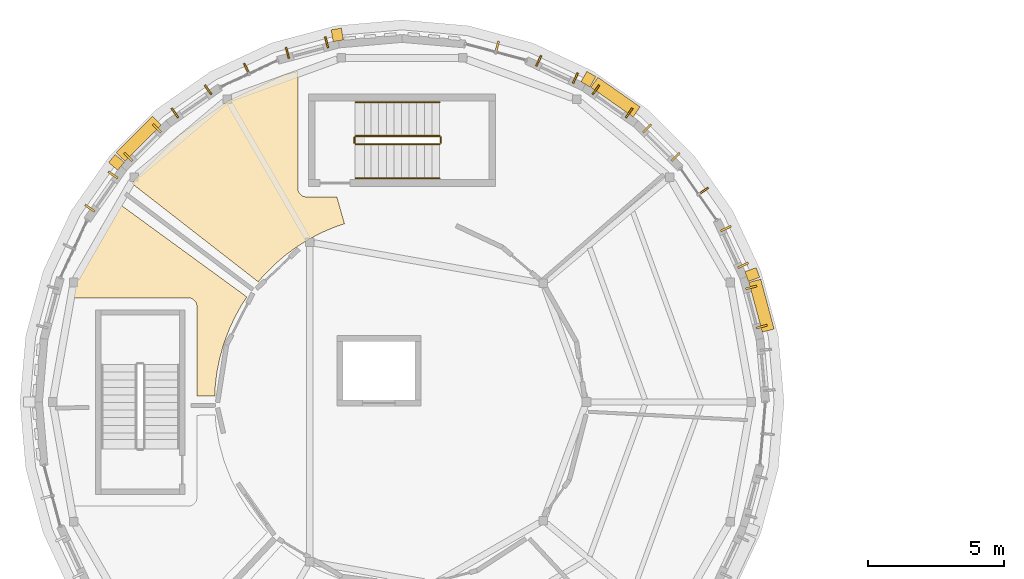
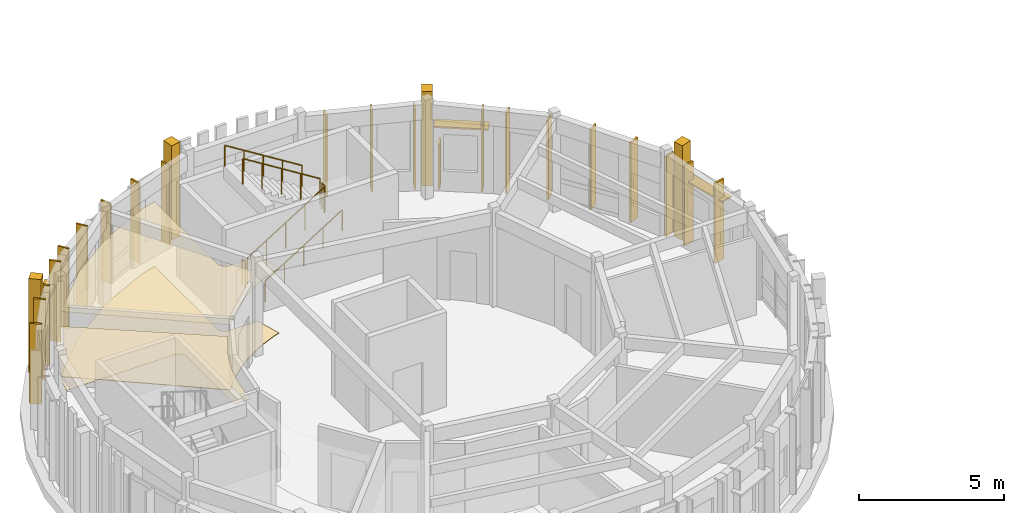
# One storey, part 33 of 37: 24 shading devices, 7 coverings, 6 railings.
"""IFC4 building model written with IfcOpenShell, lengths in metres."""

import ifcopenshell
import ifcopenshell.guid

model = None  # the IFC model being written
_history = None  # IfcOwnerHistory: only IFC2X3 demands one
_inside = {}  # id of a spatial element -> (the spatial element, [elements in it])
_under = {}  # id of a project, library or spatial element -> (it, [spatial elements below it])
_declared = {}  # id of a project -> (the project, [libraries it declares])
_typed = {}  # id of a type object -> (the type object, [elements of that type])
_made_of = {}  # id of a material, layer set ... -> (it, [elements and type objects made of it])


def new_model(schema):
    """Start an empty IFC model of exactly this schema.

    Asked for "IFC4X3", IfcOpenShell would pick the latest addendum, in which some entities
    have other attributes; the version numbers below select the first issue.
    IFC2X3 requires an IfcOwnerHistory on every rooted entity: one is made here for all.
    """
    global model, _history
    if schema == "IFC4X3":
        model = ifcopenshell.file(schema_version=(4, 3, 0, 0))
    else:
        model = ifcopenshell.file(schema=schema)
    _inside.clear()
    _under.clear()
    _declared.clear()
    _typed.clear()
    _made_of.clear()
    _history = None
    if model.schema == "IFC2X3":
        org = make("IfcOrganization", Name="unknown")
        user = make(
            "IfcPersonAndOrganization",
            ThePerson=make("IfcPerson", FamilyName="unknown"),
            TheOrganization=org,
        )
        app = make(
            "IfcApplication",
            ApplicationDeveloper=org,
            Version="unknown",
            ApplicationFullName="unknown",
            ApplicationIdentifier="unknown",
        )
        _history = make(
            "IfcOwnerHistory",
            OwningUser=user,
            OwningApplication=app,
            ChangeAction="ADDED",
            CreationDate=0,
        )
    return model


def make(cls, **values):
    """One entity of the class cls with the attributes given. An attribute that is None is left unset."""
    return model.create_entity(
        cls, **{name: value for name, value in values.items() if value is not None}
    )


def rooted(cls, **values):
    """An entity with a GlobalId (a new one), such as an element, a storey or a relation."""
    return make(cls, GlobalId=ifcopenshell.guid.new(), OwnerHistory=_history, **values)


def si_unit(unit_type, name, prefix=None):
    """IfcSIUnit, for example si_unit("LENGTHUNIT", "METRE", prefix="MILLI")."""
    return make("IfcSIUnit", UnitType=unit_type, Prefix=prefix, Name=name)


def assignment(units):
    """IfcUnitAssignment: the units of a project."""
    return None if units is None else make("IfcUnitAssignment", Units=units)


def point(xyz):
    """IfcCartesianPoint."""
    return None if xyz is None else make("IfcCartesianPoint", Coordinates=xyz)


def direction(xyz):
    """IfcDirection."""
    return None if xyz is None else make("IfcDirection", DirectionRatios=xyz)


def frame(location, z_axis=None, x_axis=None):
    """IfcAxis2Placement3D, a coordinate frame: its origin and axes. An axis left out is left unset."""
    return make(
        "IfcAxis2Placement3D",
        Location=point(location),
        Axis=direction(z_axis),
        RefDirection=direction(x_axis),
    )


def frame_2d(location, x_axis=None):
    """IfcAxis2Placement2D, a coordinate frame in the plane: its origin and x axis."""
    return make(
        "IfcAxis2Placement2D", Location=point(location), RefDirection=direction(x_axis)
    )


def origin():
    """The frame at (0, 0, 0) with its axes left unset."""
    return frame((0.0, 0.0, 0.0))


def origin_2d():
    """The frame at (0, 0) in the plane with its x axis left unset."""
    return frame_2d((0.0, 0.0))


def place(relative_to, where):
    """IfcLocalPlacement: puts the frame where relative to a parent placement (None: the world)."""
    return make(
        "IfcLocalPlacement", PlacementRelTo=relative_to, RelativePlacement=where
    )


def context(
    kind, dimensions, precision=None, world=None, true_north=None, identifier=None
):
    """IfcGeometricRepresentationContext, for example the 3D "Model" context."""
    return make(
        "IfcGeometricRepresentationContext",
        ContextIdentifier=identifier,
        ContextType=kind,
        CoordinateSpaceDimension=dimensions,
        Precision=precision,
        WorldCoordinateSystem=world,
        TrueNorth=true_north,
    )


def subcontext(parent, identifier, kind, view, scale=None):
    """IfcGeometricRepresentationSubContext, for example "Body" below "Model"."""
    return make(
        "IfcGeometricRepresentationSubContext",
        ContextIdentifier=identifier,
        ContextType=kind,
        ParentContext=parent,
        TargetScale=scale,
        TargetView=view,
    )


def project(units=None, contexts=None):
    """IfcProject with its units and contexts."""
    return rooted(
        "IfcProject",
        Name="project",
        RepresentationContexts=contexts,
        UnitsInContext=assignment(units),
    )


def spatial(cls, under=None, at=None, **own):
    """A site, building, storey or space (cls), placed at a placement, below another one or the project."""
    s = rooted(cls, ObjectPlacement=at, **own)
    if under is not None:
        _under.setdefault(under.id(), (under, []))[1].append(s)
    return s


def polyline(points):
    """IfcPolyline through the points."""
    return make("IfcPolyline", Points=[point(p) for p in points])


def profile(cls, at=None, kind="AREA", **sizes):
    """A parametric profile (cls). Its sizes go by their IFC names, for example OverallWidth=200.0."""
    return make(cls, ProfileType=kind, Position=at, **sizes)


def rectangle(**sizes):
    """IfcRectangleProfileDef."""
    return profile("IfcRectangleProfileDef", **sizes)


def circle(**sizes):
    """IfcCircleProfileDef."""
    return profile("IfcCircleProfileDef", **sizes)


def outline(outer, holes=None, kind="AREA"):
    """IfcArbitraryClosedProfileDef: a profile drawn as a closed curve; with holes, ...WithVoids."""
    if holes is None:
        return make("IfcArbitraryClosedProfileDef", ProfileType=kind, OuterCurve=outer)
    return make(
        "IfcArbitraryProfileDefWithVoids",
        ProfileType=kind,
        OuterCurve=outer,
        InnerCurves=holes,
    )


def extrude(swept, where, along, depth):
    """IfcExtrudedAreaSolid: the profile swept, set in the frame where, extruded along a direction by depth."""
    return make(
        "IfcExtrudedAreaSolid",
        SweptArea=swept,
        Position=where,
        ExtrudedDirection=direction(along),
        Depth=depth,
    )


def shape(context_of_items, identifier, shape_type, items):
    """IfcShapeRepresentation: the items that make up one representation, for example the "Body"."""
    return make(
        "IfcShapeRepresentation",
        ContextOfItems=context_of_items,
        RepresentationIdentifier=identifier,
        RepresentationType=shape_type,
        Items=items,
    )


def material(Name=None, Category=None):
    """IfcMaterial."""
    return make("IfcMaterial", Name=Name, Category=Category)


def layer(
    of_material, thickness, ventilated=None, Name=None, Category=None, Priority=None
):
    """IfcMaterialLayer: one layer of a wall or slab, of a material (None: an air gap)."""
    return make(
        "IfcMaterialLayer",
        Material=of_material,
        LayerThickness=thickness,
        IsVentilated=ventilated,
        Name=Name,
        Category=Category,
        Priority=Priority,
    )


def layer_set(layers, Name=None):
    """IfcMaterialLayerSet."""
    return make("IfcMaterialLayerSet", MaterialLayers=layers, LayerSetName=Name)


def made_of(thing, what):
    """Note that an element or type object is made of a material, layer set ...; save() writes the relation."""
    if what is not None:
        _made_of.setdefault(what.id(), (what, []))[1].append(thing)
    return thing


def type_object(cls, material=None, **own):
    """A type object (cls), such as IfcWallType, which elements share."""
    return made_of(rooted(cls, **own), material)


def element(
    cls,
    number,
    at=None,
    inside=None,
    cuts=None,
    type_object=None,
    material=None,
    context=None,
    identifier="Body",
    shape_type=None,
    held_by="IfcProductDefinitionShape",
    body=None,
    shapes=None,
    **own,
):
    """One element of the class cls, such as IfcWall. Its Tag is "e" and its number.

    at: its placement. inside: the storey or other place that contains it. cuts: it is an
    opening in that element (IfcRelVoidsElement). A single representation is given by context,
    identifier, shape_type and body (its items); several are given by shapes. held_by: the class
    of the entity that holds the representations. save() writes the other relations.
    """
    e = rooted(cls, Tag="e%d" % number, ObjectPlacement=at, **own)
    if body is not None:
        shapes = [shape(context, identifier, shape_type, body)]
    if shapes is not None:
        e.Representation = make(held_by, Representations=shapes)
    if inside is not None:
        _inside.setdefault(inside.id(), (inside, []))[1].append(e)
    if cuts is not None:
        rooted(
            "IfcRelVoidsElement", RelatingBuildingElement=cuts, RelatedOpeningElement=e
        )
    if type_object is not None:
        _typed.setdefault(type_object.id(), (type_object, []))[1].append(e)
    return made_of(e, material)


def aggregate(whole, parts):
    """IfcRelAggregates: a whole, such as a stair, and the parts it consists of."""
    return rooted("IfcRelAggregates", RelatingObject=whole, RelatedObjects=parts)


def save(model, path):
    """Write the relations noted so far, then the file.

    IfcRelAggregates (storeys below a building ...), IfcRelContainedInSpatialStructure (elements
    in a storey), IfcRelDefinesByType, IfcRelAssociatesMaterial and IfcRelDeclares: one each for
    every whole, place, type object, material and project.
    """
    for whole, parts in _under.values():
        aggregate(whole, parts)
    for where, things in _inside.values():
        rooted(
            "IfcRelContainedInSpatialStructure",
            RelatedElements=things,
            RelatingStructure=where,
        )
    for kind, things in _typed.values():
        rooted("IfcRelDefinesByType", RelatedObjects=things, RelatingType=kind)
    for what, things in _made_of.values():
        rooted("IfcRelAssociatesMaterial", RelatedObjects=things, RelatingMaterial=what)
    for by, libraries in _declared.values():
        rooted("IfcRelDeclares", RelatingContext=by, RelatedDefinitions=libraries)
    model.write(path)


model = new_model("IFC4")

# Units and contexts
model_context = context("Model", 3, precision=1e-05, world=origin(), true_north=direction((0.0, 1.0)))
body_context = subcontext(model_context, "Body", "Model", "MODEL_VIEW")
ifc_project = project(units=[si_unit("LENGTHUNIT", "METRE"), si_unit("AREAUNIT", "SQUARE_METRE"), si_unit("VOLUMEUNIT", "CUBIC_METRE"), si_unit("PLANEANGLEUNIT", "RADIAN"), si_unit("MASSUNIT", "GRAM", prefix="KILO")], contexts=[model_context])

# Site, building, storey
site_placement = place(None, origin())
site = spatial("IfcSite", under=ifc_project, at=site_placement, CompositionType="ELEMENT")
building_placement = place(site_placement, origin())
building = spatial("IfcBuilding", under=site, at=building_placement, Name="Aldenvaro Health Centre", CompositionType="ELEMENT")
storey_placement = place(building_placement, frame((0.0, 0.0, 12.949951171875)))
storey = spatial("IfcBuildingStorey", under=building, at=storey_placement, Name="L03", CompositionType="ELEMENT", Elevation=12.949951171875)

# Coverings
ifc_material_1 = material(Name="Antimicrobial Mineral Fibre Ceiling")
ifc_layer_1 = layer(ifc_material_1, 0.01806640625, Name="Antimicrobial Mineral Fibre Ceiling")
ifc_layer_set_1 = layer_set([ifc_layer_1], Name="Antimicrobial Mineral Fibre Ceiling")
covering_type_1 = type_object("IfcCoveringType", Name="COV-CLG-ACT18", PredefinedType="CEILING", material=ifc_layer_set_1)
covering_1_placement = place(storey_placement, frame((0.0, 0.0, 2.75)))
element("IfcCovering", 1, at=covering_1_placement, inside=storey, type_object=covering_type_1, Name="D4-L03-R01 Suspended Ceiling", PredefinedType="CEILING", context=body_context, shape_type="SweptSolid", body=[
    extrude(outline(polyline([(16.096923828125, 105.97900390625), (16.080078125, 105.971923828125), (15.593994140625, 105.76904296875), (15.576904296875, 105.760986328125), (15.10791015625, 105.52001953125), (15.092041015625, 105.510986328125), (14.64404296875, 105.23388671875), (14.6279296875, 105.222900390625), (14.2041015625, 104.912109375), (14.18896484375, 104.89990234375), (13.7900390625, 104.555908203125), (13.77587890625, 104.54296875), (13.406005859375, 104.1689453125), (13.39306640625, 104.155029296875), (13.201904296875, 103.927978515625), (8.548095703125, 107.551025390625), (8.679931640625, 107.739990234375), (10.260009765625, 109.320068359375), (12.091064453125, 110.60205078125), (14.115966796875, 111.5458984375), (14.659912109375, 111.69189453125), (14.659912109375, 107.3798828125), (14.659912109375, 107.367919921875), (14.660888671875, 107.360107421875), (14.6630859375, 107.3369140625), (14.6640625, 107.3291015625), (14.6689453125, 107.305908203125), (14.6708984375, 107.298095703125), (14.677001953125, 107.27587890625), (14.679931640625, 107.26904296875), (14.68896484375, 107.2470703125), (14.69189453125, 107.239990234375), (14.7041015625, 107.218994140625), (14.7080078125, 107.2119140625), (14.720947265625, 107.193115234375), (14.72509765625, 107.18603515625), (14.739990234375, 107.16796875), (14.74609375, 107.162109375), (14.761962890625, 107.14599609375), (14.76806640625, 107.139892578125), (14.785888671875, 107.125), (14.79296875, 107.12109375), (14.81201171875, 107.10791015625), (14.819091796875, 107.10400390625), (14.840087890625, 107.092041015625), (14.846923828125, 107.089111328125), (14.868896484375, 107.080078125), (14.8759765625, 107.076904296875), (14.89794921875, 107.071044921875), (14.906005859375, 107.069091796875), (14.928955078125, 107.06396484375), (14.93701171875, 107.06298828125), (14.9599609375, 107.06103515625), (14.968017578125, 107.06005859375), (14.97998046875, 107.06005859375), (16.096923828125, 107.06005859375), (16.37890625, 106.071044921875), (16.096923828125, 105.97900390625)])), origin(), (0.0, 0.0, 1.0), 0.01806640625),
])
covering_2_placement = place(storey_placement, frame((0.0, 0.0, 2.75)))
element("IfcCovering", 2, at=covering_2_placement, inside=storey, type_object=covering_type_1, Name="D4-L03-R02 Suspended Ceiling", PredefinedType="CEILING", context=body_context, shape_type="SweptSolid", body=[
    extrude(outline(polyline([(12.617919921875, 103.1259765625), (12.60791015625, 103.110107421875), (12.35009765625, 102.65087890625), (12.342041015625, 102.634033203125), (12.12109375, 102.156005859375), (12.114013671875, 102.137939453125), (11.930908203125, 101.64404296875), (11.925048828125, 101.6259765625), (11.782958984375, 101.118896484375), (11.778076171875, 101.10107421875), (11.676025390625, 100.583984375), (11.673095703125, 100.56591796875), (11.612060546875, 100.04296875), (11.610107421875, 100.02392578125), (11.59912109375, 99.72802734375), (10.93994140625, 99.72705078125), (10.93994140625, 103.02001953125), (10.93994140625, 103.031982421875), (10.93896484375, 103.0400390625), (10.93701171875, 103.06298828125), (10.93603515625, 103.071044921875), (10.930908203125, 103.093994140625), (10.928955078125, 103.10205078125), (10.923095703125, 103.1240234375), (10.919921875, 103.131103515625), (10.910888671875, 103.153076171875), (10.907958984375, 103.159912109375), (10.89599609375, 103.180908203125), (10.89208984375, 103.18798828125), (10.87890625, 103.20703125), (10.875, 103.214111328125), (10.860107421875, 103.23193359375), (10.85400390625, 103.238037109375), (10.837890625, 103.25390625), (10.83203125, 103.260009765625), (10.81396484375, 103.27490234375), (10.806884765625, 103.279052734375), (10.7880859375, 103.2919921875), (10.781005859375, 103.2958984375), (10.760009765625, 103.30810546875), (10.7529296875, 103.31103515625), (10.73095703125, 103.320068359375), (10.72412109375, 103.322998046875), (10.701904296875, 103.3291015625), (10.694091796875, 103.3310546875), (10.6708984375, 103.3359375), (10.6630859375, 103.3369140625), (10.639892578125, 103.339111328125), (10.632080078125, 103.340087890625), (10.6201171875, 103.340087890625), (6.30810546875, 103.340087890625), (6.4541015625, 103.884033203125), (7.39794921875, 105.908935546875), (8.0419921875, 106.8291015625), (12.782958984375, 103.3720703125), (12.617919921875, 103.1259765625)])), origin(), (0.0, 0.0, 1.0), 0.01806640625),
])
ifc_material_2 = material(Name="Honed Sonoran Buff Limestone", Category="masonry")
ifc_layer_2 = layer(ifc_material_2, 0.280029296875, Name="Honed Sonoran Buff Limestone", Category="masonry")
ifc_layer_set_2 = layer_set([ifc_layer_2], Name="Honed Sonoran Buff Limestone")
covering_type_2 = type_object("IfcCoveringType", Name="COV-CRN-STN", PredefinedType="CLADDING", material=ifc_layer_set_2)
for number, where, z_axis, x_axis, name in (
    (3, (7.97412109375, 108.33203125, -0.00048828125), (0.0, 0.0, 1.0), (-0.766057587935, 0.642771943979, 0.0), "D4 L03 Engaged Classical Limestone Pilaster 12"),
    (4, (16.114013671875, 113.031005859375, -0.00048828125), (0.0, 0.0, 1.0), (-0.173661868999, 0.984805338763, 0.0), "D4 L03 Engaged Classical Limestone Pilaster 14"),
    (5, (25.3701171875, 111.39892578125, -0.00048828125), (0.0, 0.0, 1.0), (0.499991611653, 0.866030246745, 0.0), "D4 L03 Engaged Classical Limestone Pilaster 16"),
    (6, (31.410888671875, 104.198974609375, -0.00048828125), (0.0, 0.0, 1.0), (0.939695335552, 0.342012684476, 0.0), "D4 L03 Engaged Classical Limestone Pilaster 18"),
):
    element("IfcCovering", number, at=place(storey_placement, frame(where, z_axis=z_axis, x_axis=x_axis)), inside=storey, type_object=covering_type_2, Name=name, PredefinedType="CLADDING", context=body_context, shape_type="SweptSolid", body=[
        extrude(rectangle(XDim=0.43994140625, YDim=0.3798828125, at=origin_2d()), origin(), (0.0, 0.0, 1.0), 3.9951171875),
    ])
ifc_material_3 = material(Name="Polished Epoxy Terrazzo Flooring")
ifc_layer_3 = layer(ifc_material_3, 0.02197265625, Name="Polished Epoxy Terrazzo Flooring")
ifc_layer_set_3 = layer_set([ifc_layer_3], Name="Polished Epoxy Terrazzo Flooring")
covering_type_3 = type_object("IfcCoveringType", Name="COV-FLR-TER22", PredefinedType="FLOORING", material=ifc_layer_set_3)
covering_3_placement = place(storey_placement, origin())
element("IfcCovering", 7, at=covering_3_placement, inside=storey, type_object=covering_type_3, Name="D4-L03-R01 Flooring", PredefinedType="FLOORING", context=body_context, shape_type="SweptSolid", body=[
    extrude(outline(polyline([(16.096923828125, 105.97900390625), (16.080078125, 105.971923828125), (15.593994140625, 105.76904296875), (15.576904296875, 105.760986328125), (15.10791015625, 105.52001953125), (15.092041015625, 105.510986328125), (14.64404296875, 105.23388671875), (14.6279296875, 105.222900390625), (14.2041015625, 104.912109375), (14.18896484375, 104.89990234375), (13.7900390625, 104.555908203125), (13.77587890625, 104.54296875), (13.406005859375, 104.1689453125), (13.39306640625, 104.155029296875), (13.201904296875, 103.927978515625), (8.548095703125, 107.551025390625), (8.679931640625, 107.739990234375), (10.260009765625, 109.320068359375), (12.091064453125, 110.60205078125), (14.115966796875, 111.5458984375), (14.659912109375, 111.69189453125), (14.659912109375, 107.3798828125), (14.659912109375, 107.367919921875), (14.660888671875, 107.360107421875), (14.6630859375, 107.3369140625), (14.6640625, 107.3291015625), (14.6689453125, 107.305908203125), (14.6708984375, 107.298095703125), (14.677001953125, 107.27587890625), (14.679931640625, 107.26904296875), (14.68896484375, 107.2470703125), (14.69189453125, 107.239990234375), (14.7041015625, 107.218994140625), (14.7080078125, 107.2119140625), (14.720947265625, 107.193115234375), (14.72509765625, 107.18603515625), (14.739990234375, 107.16796875), (14.74609375, 107.162109375), (14.761962890625, 107.14599609375), (14.76806640625, 107.139892578125), (14.785888671875, 107.125), (14.79296875, 107.12109375), (14.81201171875, 107.10791015625), (14.819091796875, 107.10400390625), (14.840087890625, 107.092041015625), (14.846923828125, 107.089111328125), (14.868896484375, 107.080078125), (14.8759765625, 107.076904296875), (14.89794921875, 107.071044921875), (14.906005859375, 107.069091796875), (14.928955078125, 107.06396484375), (14.93701171875, 107.06298828125), (14.9599609375, 107.06103515625), (14.968017578125, 107.06005859375), (14.97998046875, 107.06005859375), (16.096923828125, 107.06005859375), (16.37890625, 106.071044921875), (16.096923828125, 105.97900390625)])), origin(), (0.0, 0.0, 1.0), 0.02197265625),
])

# Railings
ifc_material_4 = material(Name="Painted Architectural Steel", Category="steel")
railing_type_1 = type_object("IfcRailingType", Name="RL-BAL-INT", PredefinedType="BALUSTRADE", material=ifc_material_4)
railing_1_placement = place(storey_placement, frame((16.800048828125, 109.0, 0.175048828125)))
element("IfcRailing", 8, at=railing_1_placement, inside=storey, type_object=railing_type_1, Name="L03 ST-07 stair guard 1", PredefinedType="BALUSTRADE", context=body_context, shape_type="SweptSolid", body=[
    extrude(circle(Radius=0.02392578125, at=origin_2d()), frame((0.0, 0.0, 1.076171875), z_axis=(0.847979421464, 0.0, 0.530029150871), x_axis=(0.0, 1.0, 0.0)), (0.0, 0.0, 1.0), 3.632080078125),
    extrude(circle(Radius=0.02099609375, at=origin_2d()), origin(), (0.0, 0.0, 1.0), 1.052001953125),
    extrude(circle(Radius=0.02099609375, at=origin_2d()), frame((0.77001953125, 0.0, 0.481201171875)), (0.0, 0.0, 1.0), 1.052001953125),
    extrude(circle(Radius=0.02099609375, at=origin_2d()), frame((1.5400390625, 0.0, 0.96240234375)), (0.0, 0.0, 1.0), 1.052001953125),
    extrude(circle(Radius=0.02099609375, at=origin_2d()), frame((2.309814453125, 0.0, 1.44384765625)), (0.0, 0.0, 1.0), 1.052001953125),
    extrude(circle(Radius=0.02099609375, at=origin_2d()), frame((3.079833984375, 0.0, 1.925048828125)), (0.0, 0.0, 1.0), 1.052001953125),
])
railing_2_placement = place(storey_placement, frame((19.929931640625, 109.050048828125, 2.10009765625)))
element("IfcRailing", 9, at=railing_2_placement, inside=storey, type_object=railing_type_1, Name="L03 ST-07 stair guard 2", PredefinedType="BALUSTRADE", context=body_context, shape_type="SweptSolid", body=[
    extrude(circle(Radius=0.02392578125, at=origin_2d()), frame((0.0, 0.0, 1.076171875), z_axis=(0.0, 1.0, 0.0), x_axis=(-1.0, 0.0, 0.0)), (0.0, 0.0, 1.0), 0.199951171875),
    extrude(circle(Radius=0.02099609375, at=origin_2d()), origin(), (0.0, 0.0, 1.0), 1.052001953125),
    extrude(circle(Radius=0.02099609375, at=origin_2d()), frame((0.0, 0.199951171875, 0.0)), (0.0, 0.0, 1.0), 1.052001953125),
])
railing_3_placement = place(storey_placement, frame((19.8798828125, 109.300048828125, 2.275146484375)))
element("IfcRailing", 10, at=railing_3_placement, inside=storey, type_object=railing_type_1, Name="L03 ST-07 stair guard 3", PredefinedType="BALUSTRADE", context=body_context, shape_type="SweptSolid", body=[
    extrude(circle(Radius=0.02392578125, at=origin_2d()), frame((0.0, 0.0, 1.076171875), z_axis=(-0.848009633417, 0.0, 0.529980812513), x_axis=(0.0, -1.0, 0.0)), (0.0, 0.0, 1.0), 3.6318359375),
    extrude(circle(Radius=0.02099609375, at=origin_2d()), origin(), (0.0, 0.0, 1.0), 1.052001953125),
    extrude(circle(Radius=0.02099609375, at=origin_2d()), frame((-0.77001953125, 0.0, 0.481201171875)), (0.0, 0.0, 1.0), 1.052001953125),
    extrude(circle(Radius=0.02099609375, at=origin_2d()), frame((-1.5400390625, 0.0, 0.96240234375)), (0.0, 0.0, 1.0), 1.052001953125),
    extrude(circle(Radius=0.02099609375, at=origin_2d()), frame((-2.309814453125, 0.0, 1.443603515625)), (0.0, 0.0, 1.0), 1.052001953125),
    extrude(circle(Radius=0.02099609375, at=origin_2d()), frame((-3.079833984375, 0.0, 1.9248046875)), (0.0, 0.0, 1.0), 1.052001953125),
])
railing_4_placement = place(storey_placement, frame((16.75, 109.050048828125, 0.0)))
element("IfcRailing", 11, at=railing_4_placement, inside=storey, type_object=railing_type_1, Name="L03 ST-07 stair guard 4", PredefinedType="BALUSTRADE", context=body_context, shape_type="SweptSolid", body=[
    extrude(circle(Radius=0.02392578125, at=origin_2d()), frame((0.0, 0.0, 1.076171875), z_axis=(0.0, 1.0, 0.0), x_axis=(-1.0, 0.0, 0.0)), (0.0, 0.0, 1.0), 0.199951171875),
    extrude(circle(Radius=0.02099609375, at=origin_2d()), origin(), (0.0, 0.0, 1.0), 1.052001953125),
    extrude(circle(Radius=0.02099609375, at=origin_2d()), frame((0.0, 0.199951171875, 0.0)), (0.0, 0.0, 1.0), 1.052001953125),
])
railing_type_2 = type_object("IfcRailingType", Name="RL-HND-INT", PredefinedType="HANDRAIL", material=ifc_material_4)
railing_5_placement = place(storey_placement, frame((16.800048828125, 107.75, 0.175048828125)))
element("IfcRailing", 12, at=railing_5_placement, inside=storey, type_object=railing_type_2, Name="L03 ST-07 stair handrail 1", PredefinedType="HANDRAIL", context=body_context, shape_type="SweptSolid", body=[
    extrude(circle(Radius=0.02392578125, at=origin_2d()), frame((0.0, 0.0, 0.8759765625), z_axis=(0.847979421464, 0.0, 0.530029150871), x_axis=(0.0, 1.0, 0.0)), (0.0, 0.0, 1.0), 3.632080078125),
    extrude(circle(Radius=0.02099609375, at=origin_2d()), origin(), (0.0, 0.0, 1.0), 0.851806640625),
    extrude(circle(Radius=0.02099609375, at=origin_2d()), frame((0.77001953125, 0.0, 0.481201171875)), (0.0, 0.0, 1.0), 0.851806640625),
    extrude(circle(Radius=0.02099609375, at=origin_2d()), frame((1.5400390625, 0.0, 0.96240234375)), (0.0, 0.0, 1.0), 0.851806640625),
    extrude(circle(Radius=0.02099609375, at=origin_2d()), frame((2.309814453125, 0.0, 1.44384765625)), (0.0, 0.0, 1.0), 0.851806640625),
    extrude(circle(Radius=0.02099609375, at=origin_2d()), frame((3.079833984375, 0.0, 1.925048828125)), (0.0, 0.0, 1.0), 0.851806640625),
])
railing_6_placement = place(storey_placement, frame((19.8798828125, 110.550048828125, 2.275146484375)))
element("IfcRailing", 13, at=railing_6_placement, inside=storey, type_object=railing_type_2, Name="L03 ST-07 stair handrail 2", PredefinedType="HANDRAIL", context=body_context, shape_type="SweptSolid", body=[
    extrude(circle(Radius=0.02392578125, at=origin_2d()), frame((0.0, 0.0, 0.8759765625), z_axis=(-0.848009633417, 0.0, 0.529980812513), x_axis=(0.0, -1.0, 0.0)), (0.0, 0.0, 1.0), 3.6318359375),
    extrude(circle(Radius=0.02099609375, at=origin_2d()), origin(), (0.0, 0.0, 1.0), 0.851806640625),
    extrude(circle(Radius=0.02099609375, at=origin_2d()), frame((-0.77001953125, 0.0, 0.481201171875)), (0.0, 0.0, 1.0), 0.851806640625),
    extrude(circle(Radius=0.02099609375, at=origin_2d()), frame((-1.5400390625, 0.0, 0.96240234375)), (0.0, 0.0, 1.0), 0.851806640625),
    extrude(circle(Radius=0.02099609375, at=origin_2d()), frame((-2.309814453125, 0.0, 1.443603515625)), (0.0, 0.0, 1.0), 0.851806640625),
    extrude(circle(Radius=0.02099609375, at=origin_2d()), frame((-3.079833984375, 0.0, 1.9248046875)), (0.0, 0.0, 1.0), 0.851806640625),
])

# Shading devices
ifc_material_5 = material(Name="Douglas Fir Exterior Glulam GL28h", Category="wood")
shading_device_type_1 = type_object("IfcShadingDeviceType", Name="SHD-FIN-190", PredefinedType="USERDEFINED", material=ifc_material_5)
shading_device_1_placement = place(storey_placement, frame((25.64404296875, 111.007080078125, -0.02001953125), z_axis=(0.0, 0.0, 1.0), x_axis=(0.819050849853, -0.573720929857, 0.0)))
element("IfcShadingDevice", 14, at=shading_device_1_placement, inside=storey, type_object=shading_device_type_1, Name="D4 L03 Douglas fir fin 31.1", ObjectType="FIN", PredefinedType="USERDEFINED", context=body_context, shape_type="SweptSolid", body=[
    extrude(rectangle(XDim=0.06494140625, YDim=0.419921875, at=origin_2d()), origin(), (0.0, 0.0, 1.0), 1.89990234375),
])
shading_device_type_2 = type_object("IfcShadingDeviceType", Name="SHD-FIN-340", PredefinedType="USERDEFINED", material=ifc_material_5)
for number, where, z_axis, x_axis, name in (
    (15, (8.407958984375, 108.533935546875, -0.0205078125), (0.0, 0.0, 1.0), (0.707106781187, 0.707106781187, 0.0), "D4 L03 Douglas fir fin 23.1"),
    (16, (9.466064453125, 109.592041015625, -0.0205078125), (0.0, 0.0, 1.0), (0.707106781187, 0.707106781187, 0.0), "D4 L03 Douglas fir fin 23.3"),
    (17, (22.009033203125, 112.596923828125, -0.0205078125), (0.0, 0.0, 1.0), (0.965978620089, -0.258621935517, 0.0), "D4 L03 vertical timber fin 29.0"),
    (18, (31.3701171875, 103.722900390625, -0.0205078125), (0.0, 0.0, 1.0), (0.258621935517, -0.965978620089, 0.0), "D4 L03 Douglas fir fin 35.1"),
    (19, (31.756103515625, 102.278076171875, -0.0205078125), (0.0, 0.0, 1.0), (0.258621935517, -0.965978620089, 0.0), "D4 L03 Douglas fir fin 35.3"),
):
    element("IfcShadingDevice", number, at=place(storey_placement, frame(where, z_axis=z_axis, x_axis=x_axis)), inside=storey, type_object=shading_device_type_2, Name=name, ObjectType="FIN", PredefinedType="USERDEFINED", context=body_context, shape_type="SweptSolid", body=[
        extrude(rectangle(XDim=0.074951171875, YDim=0.419921875, at=origin_2d()), origin(), (0.0, 0.0, 1.0), 3.388916015625),
    ])
shading_device_type_3 = type_object("IfcShadingDeviceType", Name="SHD-FIN-380", PredefinedType="USERDEFINED", material=ifc_material_5)
for number, where, z_axis, x_axis, name in (
    (20, (6.992919921875, 106.64404296875, -0.0205078125), (0.0, 0.0, 1.0), (0.573720929857, 0.819050849853, 0.0), "D4 L03 Douglas fir fin 22.1"),
    (21, (7.85107421875, 107.868896484375, -0.0205078125), (0.0, 0.0, 1.0), (0.573720929857, 0.819050849853, 0.0), "D4 L03 Douglas fir fin 22.3"),
    (22, (30.44091796875, 105.89306640625, -0.0205078125), (0.0, 0.0, 1.0), (0.422557314215, -0.90633620484, 0.0), "D4 L03 Douglas fir fin 34.1"),
    (23, (31.072998046875, 104.5380859375, -0.0205078125), (0.0, 0.0, 1.0), (0.422557314215, -0.90633620484, 0.0), "D4 L03 Douglas fir fin 34.3"),
):
    element("IfcShadingDevice", number, at=place(storey_placement, frame(where, z_axis=z_axis, x_axis=x_axis)), inside=storey, type_object=shading_device_type_3, Name=name, ObjectType="FIN", PredefinedType="USERDEFINED", context=body_context, shape_type="SweptSolid", body=[
        extrude(rectangle(XDim=0.074951171875, YDim=0.419921875, at=origin_2d()), origin(), (0.0, 0.0, 1.0), 3.388916015625),
    ])
shading_device_type_4 = type_object("IfcShadingDeviceType", Name="SHD-FIN-400", PredefinedType="USERDEFINED", material=ifc_material_5)
shading_device_2_placement = place(storey_placement, frame((29.60693359375, 107.277099609375, -0.0205078125), z_axis=(0.0, 0.0, 1.0), x_axis=(0.573720929857, -0.819050849853, 0.0)))
element("IfcShadingDevice", 24, at=shading_device_2_placement, inside=storey, type_object=shading_device_type_4, Name="D4 L03 vertical timber fin 33.0", ObjectType="FIN", PredefinedType="USERDEFINED", context=body_context, shape_type="SweptSolid", body=[
    extrude(rectangle(XDim=0.06494140625, YDim=0.419921875, at=origin_2d()), origin(), (0.0, 0.0, 1.0), 3.388916015625),
])
shading_device_type_5 = type_object("IfcShadingDeviceType", Name="SHD-FIN-420", PredefinedType="USERDEFINED", material=ifc_material_5)
for number, where, z_axis, x_axis, name in (
    (25, (14.277099609375, 112.3701171875, -0.0205078125), (0.0, 0.0, 1.0), (0.965978620089, 0.258621935517, 0.0), "D4 L03 Douglas fir fin 26.1"),
    (26, (15.721923828125, 112.756103515625, -0.0205078125), (0.0, 0.0, 1.0), (0.965978620089, 0.258621935517, 0.0), "D4 L03 Douglas fir fin 26.3"),
    (27, (27.533935546875, 109.592041015625, -0.0205078125), (0.0, 0.0, 1.0), (0.707106781187, -0.707106781187, 0.0), "D4 L03 Douglas fir fin 32.1"),
    (28, (28.592041015625, 108.533935546875, -0.0205078125), (0.0, 0.0, 1.0), (0.707106781187, -0.707106781187, 0.0), "D4 L03 Douglas fir fin 32.3"),
):
    element("IfcShadingDevice", number, at=place(storey_placement, frame(where, z_axis=z_axis, x_axis=x_axis)), inside=storey, type_object=shading_device_type_5, Name=name, ObjectType="FIN", PredefinedType="USERDEFINED", context=body_context, shape_type="SweptSolid", body=[
        extrude(rectangle(XDim=0.06494140625, YDim=0.419921875, at=origin_2d()), origin(), (0.0, 0.0, 1.0), 3.388916015625),
    ])
shading_device_type_6 = type_object("IfcShadingDeviceType", Name="SHD-FIN-435", PredefinedType="USERDEFINED", material=ifc_material_5)
for number, where, z_axis, x_axis, name in (
    (29, (12.77001953125, 111.7890625, -0.0205078125), (0.0, 0.0, 1.0), (0.90633620484, 0.422557314215, 0.0), "D4 L03 vertical timber fin 25.0"),
    (30, (26.868896484375, 110.14892578125, -0.0205078125), (0.0, 0.0, 1.0), (0.819050849853, -0.573720929857, 0.0), "D4 L03 Douglas fir fin 31.3"),
):
    element("IfcShadingDevice", number, at=place(storey_placement, frame(where, z_axis=z_axis, x_axis=x_axis)), inside=storey, type_object=shading_device_type_6, Name=name, ObjectType="FIN", PredefinedType="USERDEFINED", context=body_context, shape_type="SweptSolid", body=[
        extrude(rectangle(XDim=0.06494140625, YDim=0.419921875, at=origin_2d()), origin(), (0.0, 0.0, 1.0), 3.388916015625),
    ])
shading_device_type_7 = type_object("IfcShadingDeviceType", Name="SHD-FIN-455", PredefinedType="USERDEFINED", material=ifc_material_5)
for number, where, z_axis, x_axis, name in (
    (31, (10.131103515625, 110.14892578125, -0.0205078125), (0.0, 0.0, 1.0), (0.819050849853, 0.573720929857, 0.0), "D4 L03 Douglas fir fin 24.1"),
    (32, (11.35595703125, 111.007080078125, -0.0205078125), (0.0, 0.0, 1.0), (0.819050849853, 0.573720929857, 0.0), "D4 L03 Douglas fir fin 24.3"),
    (33, (23.5380859375, 112.072998046875, -0.0205078125), (0.0, 0.0, 1.0), (0.90633620484, -0.422557314215, 0.0), "D4 L03 Douglas fir fin 30.1"),
    (34, (24.89306640625, 111.44091796875, -0.0205078125), (0.0, 0.0, 1.0), (0.90633620484, -0.422557314215, 0.0), "D4 L03 Douglas fir fin 30.3"),
):
    element("IfcShadingDevice", number, at=place(storey_placement, frame(where, z_axis=z_axis, x_axis=x_axis)), inside=storey, type_object=shading_device_type_7, Name=name, ObjectType="FIN", PredefinedType="USERDEFINED", context=body_context, shape_type="SweptSolid", body=[
        extrude(rectangle(XDim=0.06494140625, YDim=0.419921875, at=origin_2d()), origin(), (0.0, 0.0, 1.0), 3.388916015625),
    ])
shading_device_type_8 = type_object("IfcShadingDeviceType", Name="SHD-LVR-190", PredefinedType="JALOUSIE", material=ifc_material_5)
for number, where, z_axis, x_axis, name in (
    (35, (8.799072265625, 109.200927734375, 2.297607421875), (0.0, 0.0, 1.0), (0.707106781187, 0.707106781187, 0.0), "D4 L03 horizontal solar louvre 23"),
    (36, (26.368896484375, 110.738037109375, 2.447509765625), (0.0, 0.0, 1.0), (0.819050849853, -0.573720929857, 0.0), "D4 L03 horizontal solar louvre 31"),
    (37, (31.7509765625, 103.050048828125, 2.547607421875), (0.0, 0.0, 1.0), (0.258621935517, -0.965978620089, 0.0), "D4 L03 horizontal solar louvre 35"),
):
    element("IfcShadingDevice", number, at=place(storey_placement, frame(where, z_axis=z_axis, x_axis=x_axis)), inside=storey, type_object=shading_device_type_8, Name=name, PredefinedType="JALOUSIE", context=body_context, shape_type="SweptSolid", body=[
        extrude(rectangle(XDim=1.89990234375, YDim=0.449951171875, at=origin_2d()), origin(), (0.0, 0.0, 1.0), 0.06494140625),
    ])

save(model, "model.ifc")
